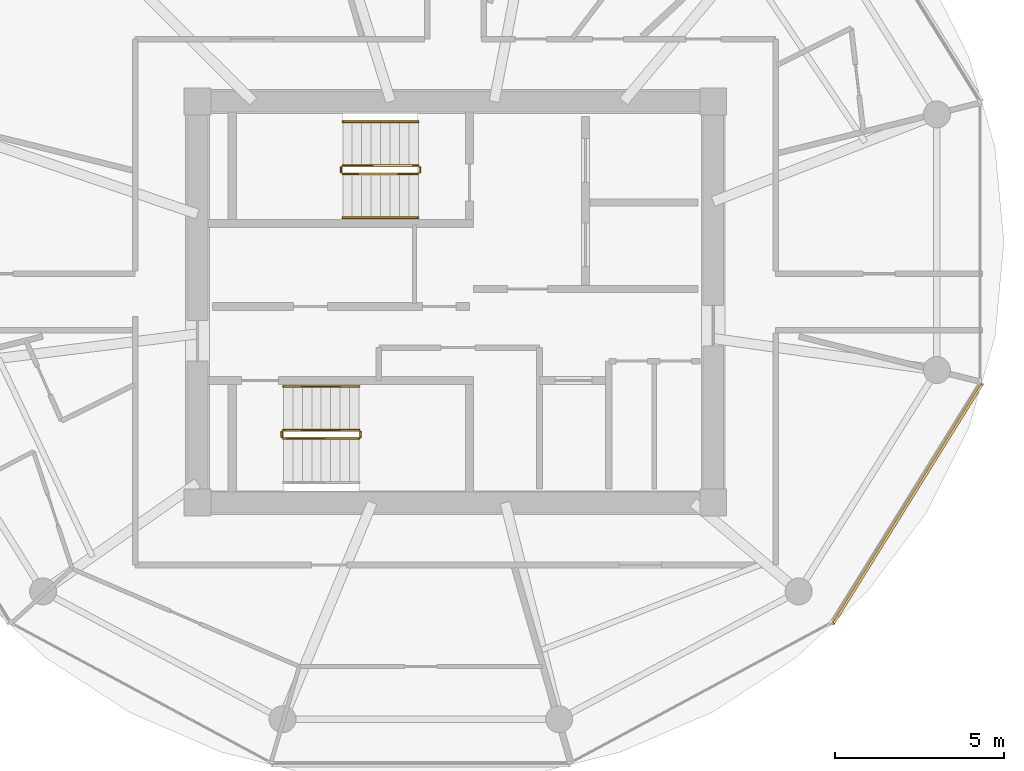
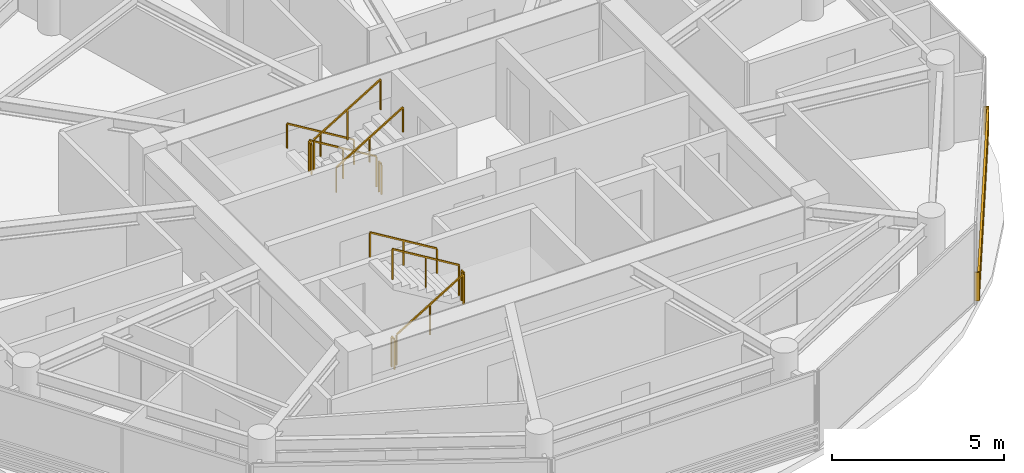
# One storey, part 21 of 22: 11 railings, 1 shading device.
"""IFC4 building model written with IfcOpenShell, lengths in metres."""

from ifc_helpers import new_model, si_unit, direction, frame, origin, origin_2d, place, context, subcontext, project, spatial, rectangle, extrude, source, transform, mapped, material, type_object, type_shapes, element, save


model = new_model("IFC4")

# Units and contexts
model_context = context("Model", 3, precision=1e-05, world=origin(), true_north=direction((0.0, 1.0)))
body_context = subcontext(model_context, "Body", "Model", "MODEL_VIEW")
ifc_project = project(units=[si_unit("LENGTHUNIT", "METRE"), si_unit("AREAUNIT", "SQUARE_METRE"), si_unit("VOLUMEUNIT", "CUBIC_METRE"), si_unit("PLANEANGLEUNIT", "RADIAN"), si_unit("MASSUNIT", "GRAM", prefix="KILO")], contexts=[model_context])

# Site, building, storey
site_placement = place(None, origin())
site = spatial("IfcSite", under=ifc_project, at=site_placement, CompositionType="ELEMENT")
building_placement = place(site_placement, origin())
building = spatial("IfcBuilding", under=site, at=building_placement, Name="Norrkilde Senior Care Towers", CompositionType="ELEMENT")
storey_placement = place(building_placement, frame((0.0, 0.0, 180.050048828125)))
storey = spatial("IfcBuildingStorey", under=building, at=storey_placement, Name="L56", CompositionType="ELEMENT", Elevation=180.050048828125)

# Railings
ifc_material_1 = material(Name="Stainless Steel", Category="steel")
railing_type_1 = type_object("IfcRailingType", Name="Stair and Terrace Guardrail 1100", PredefinedType="GUARDRAIL", material=ifc_material_1)
railing_1_placement = place(storey_placement, frame((26.89990234375, 4.050048828125, 0.16943359375)))
element("IfcRailing", 1, at=railing_1_placement, inside=storey, type_object=railing_type_1, Name="L56 ST-E1 stair guard 1", PredefinedType="GUARDRAIL", context=body_context, shape_type="SweptSolid", body=[
    extrude(rectangle(XDim=0.048095703125, YDim=0.048095703125, at=origin_2d()), frame((0.0, 0.0, 1.076171875), z_axis=(-0.855553338991, 0.0, 0.51771467445), x_axis=(0.0, -1.0, 0.0)), (0.0, 0.0, 1.0), 2.6181640625),
    extrude(rectangle(XDim=0.0419921875, YDim=0.0419921875, at=origin_2d()), origin(), (0.0, 0.0, 1.0), 1.050048828125),
    extrude(rectangle(XDim=0.0419921875, YDim=0.0419921875, at=origin_2d()), frame((-1.1201171875, 0.0, 0.677734375)), (0.0, 0.0, 1.0), 1.050048828125),
    extrude(rectangle(XDim=0.0419921875, YDim=0.0419921875, at=origin_2d()), frame((-2.239990234375, 0.0, 1.35546875)), (0.0, 0.0, 1.0), 1.050048828125),
])
railing_2_placement = place(storey_placement, frame((24.610107421875, 4.0, 1.52490234375)))
element("IfcRailing", 2, at=railing_2_placement, inside=storey, type_object=railing_type_1, Name="L56 ST-E1 stair guard 2", PredefinedType="GUARDRAIL", context=body_context, shape_type="SweptSolid", body=[
    extrude(rectangle(XDim=0.048095703125, YDim=0.048095703125, at=origin_2d()), frame((0.0, 0.0, 1.076171875), z_axis=(0.0, -1.0, 0.0), x_axis=(1.0, 0.0, 0.0)), (0.0, 0.0, 1.0), 0.14990234375),
    extrude(rectangle(XDim=0.0419921875, YDim=0.0419921875, at=origin_2d()), origin(), (0.0, 0.0, 1.0), 1.050048828125),
    extrude(rectangle(XDim=0.0419921875, YDim=0.0419921875, at=origin_2d()), frame((0.0, -0.14990234375, 0.0)), (0.0, 0.0, 1.0), 1.050048828125),
])
railing_3_placement = place(storey_placement, frame((24.659912109375, 3.800048828125, 1.6943359375)))
element("IfcRailing", 3, at=railing_3_placement, inside=storey, type_object=railing_type_1, Name="L56 ST-E1 stair guard 3", PredefinedType="GUARDRAIL", context=body_context, shape_type="SweptSolid", body=[
    extrude(rectangle(XDim=0.048095703125, YDim=0.048095703125, at=origin_2d()), frame((0.0, 0.0, 1.076171875), z_axis=(0.855512035549, 0.0, 0.517782924622), x_axis=(0.0, 1.0, 0.0)), (0.0, 0.0, 1.0), 2.618408203125),
    extrude(rectangle(XDim=0.0419921875, YDim=0.0419921875, at=origin_2d()), origin(), (0.0, 0.0, 1.0), 1.050048828125),
    extrude(rectangle(XDim=0.0419921875, YDim=0.0419921875, at=origin_2d()), frame((1.1201171875, 0.0, 0.677734375)), (0.0, 0.0, 1.0), 1.050048828125),
    extrude(rectangle(XDim=0.0419921875, YDim=0.0419921875, at=origin_2d()), frame((2.239990234375, 0.0, 1.355712890625)), (0.0, 0.0, 1.0), 1.050048828125),
])
railing_4_placement = place(storey_placement, frame((26.949951171875, 4.0, 0.0)))
element("IfcRailing", 4, at=railing_4_placement, inside=storey, type_object=railing_type_1, Name="L56 ST-E1 stair guard 4", PredefinedType="GUARDRAIL", context=body_context, shape_type="SweptSolid", body=[
    extrude(rectangle(XDim=0.048095703125, YDim=0.048095703125, at=origin_2d()), frame((0.0, 0.0, 1.076171875), z_axis=(0.0, -1.0, 0.0), x_axis=(1.0, 0.0, 0.0)), (0.0, 0.0, 1.0), 0.14990234375),
    extrude(rectangle(XDim=0.0419921875, YDim=0.0419921875, at=origin_2d()), origin(), (0.0, 0.0, 1.0), 1.050048828125),
    extrude(rectangle(XDim=0.0419921875, YDim=0.0419921875, at=origin_2d()), frame((0.0, -0.14990234375, 0.0)), (0.0, 0.0, 1.0), 1.050048828125),
])
railing_5_placement = place(storey_placement, frame((22.89990234375, -4.050048828125, 0.16943359375)))
element("IfcRailing", 5, at=railing_5_placement, inside=storey, type_object=railing_type_1, Name="L56 ST-E2 stair guard 1", PredefinedType="GUARDRAIL", context=body_context, shape_type="SweptSolid", body=[
    extrude(rectangle(XDim=0.048095703125, YDim=0.048095703125, at=origin_2d()), frame((0.0, 0.0, 1.076171875), z_axis=(0.855553338991, 0.0, 0.51771467445), x_axis=(0.0, 1.0, 0.0)), (0.0, 0.0, 1.0), 2.6181640625),
    extrude(rectangle(XDim=0.0419921875, YDim=0.0419921875, at=origin_2d()), origin(), (0.0, 0.0, 1.0), 1.050048828125),
    extrude(rectangle(XDim=0.0419921875, YDim=0.0419921875, at=origin_2d()), frame((1.1201171875, 0.0, 0.677734375)), (0.0, 0.0, 1.0), 1.050048828125),
    extrude(rectangle(XDim=0.0419921875, YDim=0.0419921875, at=origin_2d()), frame((2.239990234375, 0.0, 1.35546875)), (0.0, 0.0, 1.0), 1.050048828125),
])
railing_6_placement = place(storey_placement, frame((25.18994140625, -4.0, 1.52490234375)))
element("IfcRailing", 6, at=railing_6_placement, inside=storey, type_object=railing_type_1, Name="L56 ST-E2 stair guard 2", PredefinedType="GUARDRAIL", context=body_context, shape_type="SweptSolid", body=[
    extrude(rectangle(XDim=0.048095703125, YDim=0.048095703125, at=origin_2d()), frame((0.0, 0.0, 1.076171875), z_axis=(0.0, 1.0, 0.0), x_axis=(-1.0, 0.0, 0.0)), (0.0, 0.0, 1.0), 0.14990234375),
    extrude(rectangle(XDim=0.0419921875, YDim=0.0419921875, at=origin_2d()), origin(), (0.0, 0.0, 1.0), 1.050048828125),
    extrude(rectangle(XDim=0.0419921875, YDim=0.0419921875, at=origin_2d()), frame((0.0, 0.14990234375, 0.0)), (0.0, 0.0, 1.0), 1.050048828125),
])
railing_7_placement = place(storey_placement, frame((25.139892578125, -3.800048828125, 1.6943359375)))
element("IfcRailing", 7, at=railing_7_placement, inside=storey, type_object=railing_type_1, Name="L56 ST-E2 stair guard 3", PredefinedType="GUARDRAIL", context=body_context, shape_type="SweptSolid", body=[
    extrude(rectangle(XDim=0.048095703125, YDim=0.048095703125, at=origin_2d()), frame((0.0, 0.0, 1.076171875), z_axis=(-0.855512035549, 0.0, 0.517782924622), x_axis=(0.0, -1.0, 0.0)), (0.0, 0.0, 1.0), 2.618408203125),
    extrude(rectangle(XDim=0.0419921875, YDim=0.0419921875, at=origin_2d()), origin(), (0.0, 0.0, 1.0), 1.050048828125),
    extrude(rectangle(XDim=0.0419921875, YDim=0.0419921875, at=origin_2d()), frame((-1.1201171875, 0.0, 0.677734375)), (0.0, 0.0, 1.0), 1.050048828125),
    extrude(rectangle(XDim=0.0419921875, YDim=0.0419921875, at=origin_2d()), frame((-2.239990234375, 0.0, 1.355712890625)), (0.0, 0.0, 1.0), 1.050048828125),
])
railing_8_placement = place(storey_placement, frame((22.85009765625, -4.0, 0.0)))
element("IfcRailing", 8, at=railing_8_placement, inside=storey, type_object=railing_type_1, Name="L56 ST-E2 stair guard 4", PredefinedType="GUARDRAIL", context=body_context, shape_type="SweptSolid", body=[
    extrude(rectangle(XDim=0.048095703125, YDim=0.048095703125, at=origin_2d()), frame((0.0, 0.0, 1.076171875), z_axis=(0.0, 1.0, 0.0), x_axis=(-1.0, 0.0, 0.0)), (0.0, 0.0, 1.0), 0.14990234375),
    extrude(rectangle(XDim=0.0419921875, YDim=0.0419921875, at=origin_2d()), origin(), (0.0, 0.0, 1.0), 1.050048828125),
    extrude(rectangle(XDim=0.0419921875, YDim=0.0419921875, at=origin_2d()), frame((0.0, 0.14990234375, 0.0)), (0.0, 0.0, 1.0), 1.050048828125),
])
ifc_material_2 = material(Name="Nordic Ash Timber", Category="wood")
railing_type_2 = type_object("IfcRailingType", Name="Wall and Stair Handrail 900", PredefinedType="HANDRAIL", material=ifc_material_2)
railing_9_placement = place(storey_placement, frame((26.89990234375, 5.35009765625, 0.16943359375)))
element("IfcRailing", 9, at=railing_9_placement, inside=storey, type_object=railing_type_2, Name="L56 ST-E1 stair handrail 1", PredefinedType="HANDRAIL", context=body_context, shape_type="SweptSolid", body=[
    extrude(rectangle(XDim=0.048095703125, YDim=0.048095703125, at=origin_2d()), frame((0.0, 0.0, 0.8759765625), z_axis=(-0.855553338991, 0.0, 0.51771467445), x_axis=(0.0, -1.0, 0.0)), (0.0, 0.0, 1.0), 2.6181640625),
    extrude(rectangle(XDim=0.0419921875, YDim=0.0419921875, at=origin_2d()), origin(), (0.0, 0.0, 1.0), 0.849853515625),
    extrude(rectangle(XDim=0.0419921875, YDim=0.0419921875, at=origin_2d()), frame((-1.1201171875, 0.0, 0.677734375)), (0.0, 0.0, 1.0), 0.849853515625),
    extrude(rectangle(XDim=0.0419921875, YDim=0.0419921875, at=origin_2d()), frame((-2.239990234375, 0.0, 1.35546875)), (0.0, 0.0, 1.0), 0.849853515625),
])
railing_10_placement = place(storey_placement, frame((24.659912109375, 2.5, 1.6943359375)))
element("IfcRailing", 10, at=railing_10_placement, inside=storey, type_object=railing_type_2, Name="L56 ST-E1 stair handrail 2", PredefinedType="HANDRAIL", context=body_context, shape_type="SweptSolid", body=[
    extrude(rectangle(XDim=0.048095703125, YDim=0.048095703125, at=origin_2d()), frame((0.0, 0.0, 0.8759765625), z_axis=(0.855512035549, 0.0, 0.517782924622), x_axis=(0.0, 1.0, 0.0)), (0.0, 0.0, 1.0), 2.618408203125),
    extrude(rectangle(XDim=0.0419921875, YDim=0.0419921875, at=origin_2d()), origin(), (0.0, 0.0, 1.0), 0.849853515625),
    extrude(rectangle(XDim=0.0419921875, YDim=0.0419921875, at=origin_2d()), frame((1.1201171875, 0.0, 0.677734375)), (0.0, 0.0, 1.0), 0.849853515625),
    extrude(rectangle(XDim=0.0419921875, YDim=0.0419921875, at=origin_2d()), frame((2.239990234375, 0.0, 1.355712890625)), (0.0, 0.0, 1.0), 0.849853515625),
])
railing_11_placement = place(storey_placement, frame((25.139892578125, -2.5, 1.6943359375)))
element("IfcRailing", 11, at=railing_11_placement, inside=storey, type_object=railing_type_2, Name="L56 ST-E2 stair handrail 2", PredefinedType="HANDRAIL", context=body_context, shape_type="SweptSolid", body=[
    extrude(rectangle(XDim=0.048095703125, YDim=0.048095703125, at=origin_2d()), frame((0.0, 0.0, 0.8759765625), z_axis=(-0.855512035549, 0.0, 0.517782924622), x_axis=(0.0, -1.0, 0.0)), (0.0, 0.0, 1.0), 2.618408203125),
    extrude(rectangle(XDim=0.0419921875, YDim=0.0419921875, at=origin_2d()), origin(), (0.0, 0.0, 1.0), 0.849853515625),
    extrude(rectangle(XDim=0.0419921875, YDim=0.0419921875, at=origin_2d()), frame((-1.1201171875, 0.0, 0.677734375)), (0.0, 0.0, 1.0), 0.849853515625),
    extrude(rectangle(XDim=0.0419921875, YDim=0.0419921875, at=origin_2d()), frame((-2.239990234375, 0.0, 1.355712890625)), (0.0, 0.0, 1.0), 0.849853515625),
])

# Shading device
ifc_material_3 = material(Name="Architectural Terracotta", Category="masonry")
shading_device_type = type_object("IfcShadingDeviceType", Name="Horizontal Terracotta Baguette Rack", PredefinedType="USERDEFINED", material=ifc_material_3)
shared_shape = source(origin(), body_context, "Body", "SweptSolid", [
    extrude(rectangle(XDim=0.070068359375, YDim=0.110107421875, at=origin_2d()), frame((0.0, 0.090087890625, 0.125), z_axis=(1.0, 0.0, 0.0), x_axis=(0.0, 1.0, 0.0)), (0.0, 0.0, 1.0), 8.431396484375),
    extrude(rectangle(XDim=0.070068359375, YDim=0.110107421875, at=origin_2d()), frame((0.0, 0.090087890625, 0.375), z_axis=(1.0, 0.0, 0.0), x_axis=(0.0, 1.0, 0.0)), (0.0, 0.0, 1.0), 8.431396484375),
    extrude(rectangle(XDim=0.070068359375, YDim=0.110107421875, at=origin_2d()), frame((0.0, 0.090087890625, 0.625), z_axis=(1.0, 0.0, 0.0), x_axis=(0.0, 1.0, 0.0)), (0.0, 0.0, 1.0), 8.431396484375),
    extrude(rectangle(XDim=0.070068359375, YDim=0.110107421875, at=origin_2d()), frame((0.0, 0.090087890625, 0.875), z_axis=(1.0, 0.0, 0.0), x_axis=(0.0, 1.0, 0.0)), (0.0, 0.0, 1.0), 8.431396484375),
    extrude(rectangle(XDim=0.050048828125, YDim=0.1552734375, at=origin_2d()), frame((0.02490234375, 0.047607421875, 0.0)), (0.0, 0.0, 1.0), 1.0),
    extrude(rectangle(XDim=0.050048828125, YDim=0.1552734375, at=origin_2d()), frame((8.40625, 0.047607421875, 0.0)), (0.0, 0.0, 1.0), 1.0),
])
type_shapes(shading_device_type, [shared_shape])
shading_device_placement = place(storey_placement, frame((43.569580078125, -2.360595703125, 0.079833984375), z_axis=(0.0, 0.0, 1.0), x_axis=(-0.527378022296, -0.849630809324, 0.0)))
element("IfcShadingDevice", 12, at=shading_device_placement, inside=storey, type_object=shading_device_type, Name="L56 Drum E Terracotta Baguette Screen 10", ObjectType="BAGUETTE", PredefinedType="USERDEFINED", context=body_context, shape_type="MappedRepresentation", body=[
    mapped(shared_shape, transform((0.0, 0.0, 0.0), x_axis=(1.0, 0.0, 0.0), y_axis=(0.0, 1.0, 0.0), z_axis=(0.0, 0.0, 1.0), scale=1.0)),
])

save(model, "model.ifc")
